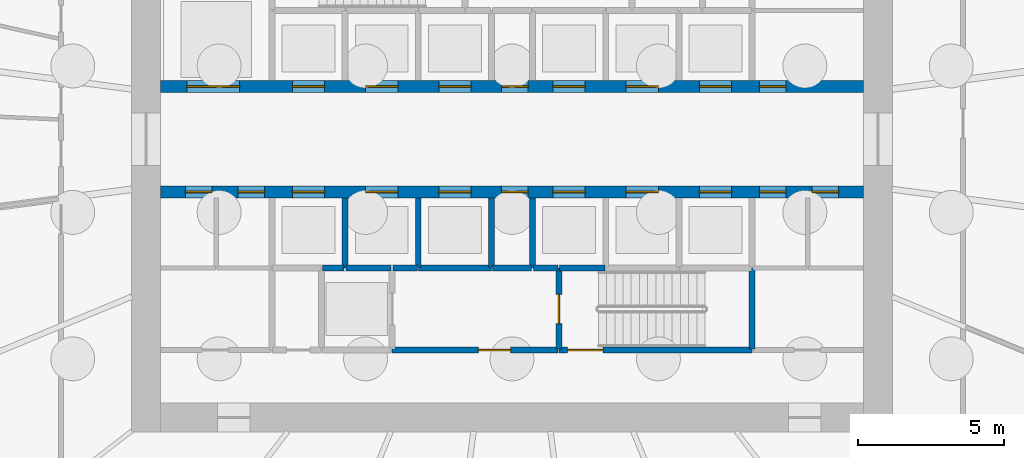
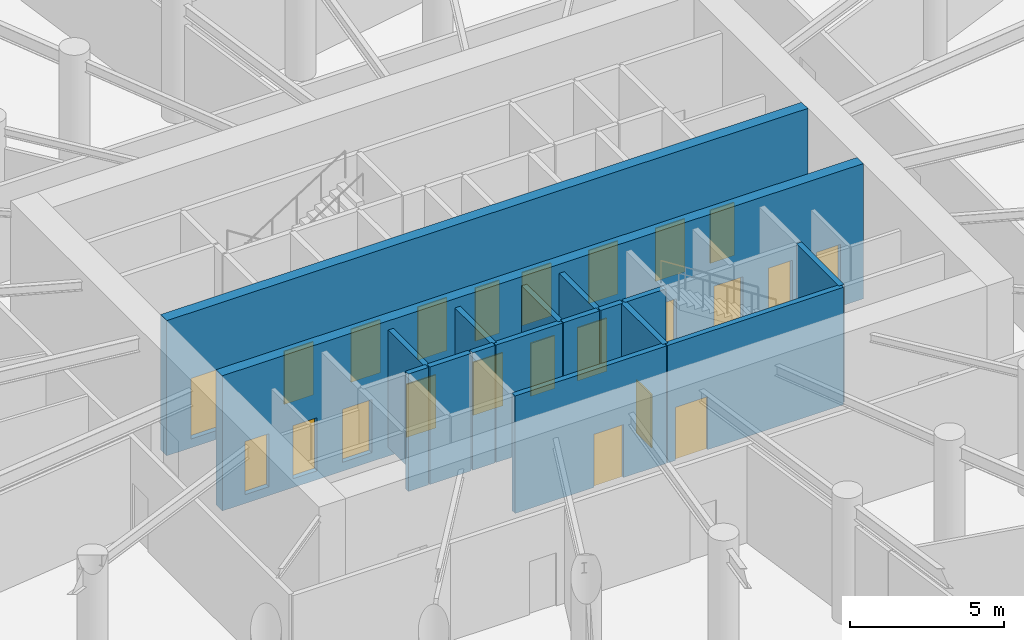
# One storey, part 19 of 28: 23 doors, 17 walls, 23 openings.
"""IFC4 building model written with IfcOpenShell, lengths in metres."""

from ifc_helpers import new_model, si_unit, direction, frame, frame_2d, origin, place, context, subcontext, project, spatial, rectangle, extrude, source, transform, mapped, material, layer, layer_set, type_object, element, fill, save


model = new_model("IFC4")

# Units and contexts
model_context = context("Model", 3, precision=1e-05, world=origin(), true_north=direction((0.0, 1.0)))
body_context = subcontext(model_context, "Body", "Model", "MODEL_VIEW")
ifc_project = project(units=[si_unit("LENGTHUNIT", "METRE"), si_unit("AREAUNIT", "SQUARE_METRE"), si_unit("VOLUMEUNIT", "CUBIC_METRE"), si_unit("PLANEANGLEUNIT", "RADIAN"), si_unit("MASSUNIT", "GRAM", prefix="KILO")], contexts=[model_context])

# Site, building, storey
site_placement = place(None, origin())
site = spatial("IfcSite", under=ifc_project, at=site_placement, CompositionType="ELEMENT")
building_placement = place(site_placement, origin())
building = spatial("IfcBuilding", under=site, at=building_placement, Name="Spindrift Exchange Tower", CompositionType="ELEMENT")
storey_placement = place(building_placement, origin())
storey = spatial("IfcBuildingStorey", under=building, at=storey_placement, Name="L00", CompositionType="ELEMENT", Elevation=0.0)

# Wall, openings, doors
ifc_material_1 = material(Name="Concrete 80 MPa", Category="concrete")
ifc_layer_1 = layer(ifc_material_1, 0.39990234375)
ifc_layer_set_1 = layer_set([ifc_layer_1], Name="RC Spine Wall 400 Concrete 80 MPa")
wall_type_1 = type_object("IfcWallType", Name="RC Spine Wall 400 Concrete 80 MPa", PredefinedType="SHEAR", material=ifc_layer_set_1)
wall_1_placement = place(storey_placement, frame((40.0, 49.800048828125, -0.35009765625), z_axis=(0.0, 0.0, 1.0), x_axis=(1.0, 0.0, 0.0)))
wall_1 = element("IfcWall", 1, at=wall_1_placement, inside=storey, type_object=wall_type_1, Name="Core spine wall N L00", PredefinedType="SHEAR", context=body_context, shape_type="SweptSolid", body=[
    extrude(rectangle(XDim=24.0, YDim=0.39990234375, at=frame_2d((12.0, 0.0))), origin(), (0.0, 0.0, 1.0), 5.35009765625),
])
opening_1_placement = place(wall_1_placement, frame((13.39990234375, 0.0, 0.35009765625)))
opening_1 = element("IfcOpeningElement", 2, at=opening_1_placement, cuts=wall_1, Name="Opening L00-D3", PredefinedType="OPENING", context=body_context, shape_type="SweptSolid", body=[
    extrude(rectangle(XDim=1.10009765625, YDim=2.10009765625, at=frame_2d((0.550048828125, 1.050048828125))), frame((0.0, 0.2099609375, 0.0), z_axis=(0.0, -1.0, 0.0), x_axis=(1.0, 0.0, 0.0)), (0.0, 0.0, 1.0), 0.419921875),
])
opening_2_placement = place(wall_1_placement, frame((15.89990234375, 0.0, 0.35009765625)))
opening_2 = element("IfcOpeningElement", 3, at=opening_2_placement, cuts=wall_1, Name="Opening L00-D4", PredefinedType="OPENING", context=body_context, shape_type="SweptSolid", body=[
    extrude(rectangle(XDim=1.10009765625, YDim=2.10009765625, at=frame_2d((0.550048828125, 1.050048828125))), frame((0.0, 0.2099609375, 0.0), z_axis=(0.0, -1.0, 0.0), x_axis=(1.0, 0.0, 0.0)), (0.0, 0.0, 1.0), 0.419921875),
])
opening_3_placement = place(wall_1_placement, frame((18.39990234375, 0.0, 0.35009765625)))
opening_3 = element("IfcOpeningElement", 4, at=opening_3_placement, cuts=wall_1, Name="Opening L00-D5", PredefinedType="OPENING", context=body_context, shape_type="SweptSolid", body=[
    extrude(rectangle(XDim=1.10009765625, YDim=2.10009765625, at=frame_2d((0.550048828125, 1.050048828125))), frame((0.0, 0.2099609375, 0.0), z_axis=(0.0, -1.0, 0.0), x_axis=(1.0, 0.0, 0.0)), (0.0, 0.0, 1.0), 0.419921875),
])
opening_4_placement = place(wall_1_placement, frame((4.5, 0.0, 0.35009765625)))
opening_4 = element("IfcOpeningElement", 5, at=opening_4_placement, cuts=wall_1, Name="Opening L00-D9", PredefinedType="OPENING", context=body_context, shape_type="SweptSolid", body=[
    extrude(rectangle(XDim=1.10009765625, YDim=2.10009765625, at=frame_2d((0.550048828125, 1.050048828125))), frame((0.0, 0.2099609375, 0.0), z_axis=(0.0, -1.0, 0.0), x_axis=(1.0, 0.0, 0.0)), (0.0, 0.0, 1.0), 0.419921875),
])
opening_5_placement = place(wall_1_placement, frame((7.0, 0.0, 0.35009765625)))
opening_5 = element("IfcOpeningElement", 6, at=opening_5_placement, cuts=wall_1, Name="Opening L00-D10", PredefinedType="OPENING", context=body_context, shape_type="SweptSolid", body=[
    extrude(rectangle(XDim=1.10009765625, YDim=2.10009765625, at=frame_2d((0.550048828125, 1.050048828125))), frame((0.0, 0.2099609375, 0.0), z_axis=(0.0, -1.0, 0.0), x_axis=(1.0, 0.0, 0.0)), (0.0, 0.0, 1.0), 0.419921875),
])
opening_6_placement = place(wall_1_placement, frame((9.5, 0.0, 0.35009765625)))
opening_6 = element("IfcOpeningElement", 7, at=opening_6_placement, cuts=wall_1, Name="Opening L00-D11", PredefinedType="OPENING", context=body_context, shape_type="SweptSolid", body=[
    extrude(rectangle(XDim=1.10009765625, YDim=2.10009765625, at=frame_2d((0.550048828125, 1.050048828125))), frame((0.0, 0.2099609375, 0.0), z_axis=(0.0, -1.0, 0.0), x_axis=(1.0, 0.0, 0.0)), (0.0, 0.0, 1.0), 0.419921875),
])
opening_7_placement = place(wall_1_placement, frame((0.89990234375, 0.0, 0.35009765625)))
opening_7 = element("IfcOpeningElement", 8, at=opening_7_placement, cuts=wall_1, Name="Opening L00-D18", PredefinedType="OPENING", context=body_context, shape_type="SweptSolid", body=[
    extrude(rectangle(XDim=1.800048828125, YDim=2.39990234375, at=frame_2d((0.89990234375, 1.199951171875))), frame((0.0, 0.2099609375, 0.0), z_axis=(0.0, -1.0, 0.0), x_axis=(1.0, 0.0, 0.0)), (0.0, 0.0, 1.0), 0.419921875),
])
opening_8_placement = place(wall_1_placement, frame((20.449951171875, 0.0, 0.35009765625)))
opening_8 = element("IfcOpeningElement", 9, at=opening_8_placement, cuts=wall_1, Name="Opening L00-D51", PredefinedType="OPENING", context=body_context, shape_type="SweptSolid", body=[
    extrude(rectangle(XDim=0.89990234375, YDim=2.10009765625, at=frame_2d((0.449951171875, 1.050048828125))), frame((0.0, 0.2099609375, 0.0), z_axis=(0.0, -1.0, 0.0), x_axis=(1.0, 0.0, 0.0)), (0.0, 0.0, 1.0), 0.419921875),
])
opening_9_placement = place(wall_1_placement, frame((11.64990234375, 0.0, 0.35009765625)))
opening_9 = element("IfcOpeningElement", 10, at=opening_9_placement, cuts=wall_1, Name="Opening L00-D56", PredefinedType="OPENING", context=body_context, shape_type="SweptSolid", body=[
    extrude(rectangle(XDim=0.89990234375, YDim=2.10009765625, at=frame_2d((0.449951171875, 1.050048828125))), frame((0.0, 0.2099609375, 0.0), z_axis=(0.0, -1.0, 0.0), x_axis=(1.0, 0.0, 0.0)), (0.0, 0.0, 1.0), 0.419921875),
])
ifc_material_2 = material(Name="Stainless steel landing door", Category="steel")
door_type_1 = type_object("IfcDoorType", Name="DR-LANDING-1100-SL", OperationType="DOUBLE_DOOR_SLIDING", PredefinedType="USERDEFINED", material=ifc_material_2)
shared_shape_1 = source(origin(), body_context, "Body", "SweptSolid", [
    extrude(rectangle(XDim=1.10009765625, YDim=2.10009765625, at=frame_2d((0.550048828125, 1.050048828125))), frame((0.0, 0.02490234375, 0.0), z_axis=(0.0, -1.0, 0.0), x_axis=(1.0, 0.0, 0.0)), (0.0, 0.0, 1.0), 0.050048828125),
])
door_1_placement = place(opening_1_placement, origin())
door_1 = element("IfcDoor", 11, at=door_1_placement, inside=storey, type_object=door_type_1, Name="L00 Lift landing door 3", ObjectType="LANDING DOOR", OperationType="DOUBLE_DOOR_SLIDING", OverallHeight=2.10009765625, OverallWidth=1.10009765625, PredefinedType="USERDEFINED", context=body_context, shape_type="MappedRepresentation", body=[
    mapped(shared_shape_1, transform((0.0, 0.0, 0.0), scale=1.0)),
])
fill(opening_1, door_1)
door_2_placement = place(opening_2_placement, origin())
door_2 = element("IfcDoor", 12, at=door_2_placement, inside=storey, type_object=door_type_1, Name="L00 Lift landing door 4", ObjectType="LANDING DOOR", OperationType="DOUBLE_DOOR_SLIDING", OverallHeight=2.10009765625, OverallWidth=1.10009765625, PredefinedType="USERDEFINED", context=body_context, shape_type="MappedRepresentation", body=[
    mapped(shared_shape_1, transform((0.0, 0.0, 0.0), scale=1.0)),
])
fill(opening_2, door_2)
door_3_placement = place(opening_3_placement, origin())
door_3 = element("IfcDoor", 13, at=door_3_placement, inside=storey, type_object=door_type_1, Name="L00 Lift landing door 5", ObjectType="LANDING DOOR", OperationType="DOUBLE_DOOR_SLIDING", OverallHeight=2.10009765625, OverallWidth=1.10009765625, PredefinedType="USERDEFINED", context=body_context, shape_type="MappedRepresentation", body=[
    mapped(shared_shape_1, transform((0.0, 0.0, 0.0), scale=1.0)),
])
fill(opening_3, door_3)
door_4_placement = place(opening_4_placement, origin())
door_4 = element("IfcDoor", 14, at=door_4_placement, inside=storey, type_object=door_type_1, Name="L00 Lift landing door 9", ObjectType="LANDING DOOR", OperationType="DOUBLE_DOOR_SLIDING", OverallHeight=2.10009765625, OverallWidth=1.10009765625, PredefinedType="USERDEFINED", context=body_context, shape_type="MappedRepresentation", body=[
    mapped(shared_shape_1, transform((0.0, 0.0, 0.0), scale=1.0)),
])
fill(opening_4, door_4)
door_5_placement = place(opening_5_placement, origin())
door_5 = element("IfcDoor", 15, at=door_5_placement, inside=storey, type_object=door_type_1, Name="L00 Lift landing door 10", ObjectType="LANDING DOOR", OperationType="DOUBLE_DOOR_SLIDING", OverallHeight=2.10009765625, OverallWidth=1.10009765625, PredefinedType="USERDEFINED", context=body_context, shape_type="MappedRepresentation", body=[
    mapped(shared_shape_1, transform((0.0, 0.0, 0.0), scale=1.0)),
])
fill(opening_5, door_5)
door_6_placement = place(opening_6_placement, origin())
door_6 = element("IfcDoor", 16, at=door_6_placement, inside=storey, type_object=door_type_1, Name="L00 Lift landing door 11", ObjectType="LANDING DOOR", OperationType="DOUBLE_DOOR_SLIDING", OverallHeight=2.10009765625, OverallWidth=1.10009765625, PredefinedType="USERDEFINED", context=body_context, shape_type="MappedRepresentation", body=[
    mapped(shared_shape_1, transform((0.0, 0.0, 0.0), scale=1.0)),
])
fill(opening_6, door_6)
door_type_2 = type_object("IfcDoorType", Name="DR-LANDING-1800-SL", OperationType="DOUBLE_DOOR_SLIDING", PredefinedType="USERDEFINED", material=ifc_material_2)
shared_shape_2 = source(origin(), body_context, "Body", "SweptSolid", [
    extrude(rectangle(XDim=1.800048828125, YDim=2.39990234375, at=frame_2d((0.89990234375, 1.199951171875))), frame((0.0, 0.02490234375, 0.0), z_axis=(0.0, -1.0, 0.0), x_axis=(1.0, 0.0, 0.0)), (0.0, 0.0, 1.0), 0.050048828125),
])
door_7_placement = place(opening_7_placement, origin())
door_7 = element("IfcDoor", 17, at=door_7_placement, inside=storey, type_object=door_type_2, Name="L00 Lift landing door 18", ObjectType="LANDING DOOR", OperationType="DOUBLE_DOOR_SLIDING", OverallHeight=2.39990234375, OverallWidth=1.800048828125, PredefinedType="USERDEFINED", context=body_context, shape_type="MappedRepresentation", body=[
    mapped(shared_shape_2, transform((0.0, 0.0, 0.0), scale=1.0)),
])
fill(opening_7, door_7)
ifc_material_3 = material(Name="Steel access door", Category="steel")
door_type_3 = type_object("IfcDoorType", Name="DR-RISER-900", OperationType="NOTDEFINED", PredefinedType="DOOR", material=ifc_material_3)
shared_shape_3 = source(origin(), body_context, "Body", "SweptSolid", [
    extrude(rectangle(XDim=0.89990234375, YDim=2.10009765625, at=frame_2d((0.449951171875, 1.050048828125))), frame((0.0, 0.02490234375, 0.0), z_axis=(0.0, -1.0, 0.0), x_axis=(1.0, 0.0, 0.0)), (0.0, 0.0, 1.0), 0.050048828125),
])
door_8_placement = place(opening_8_placement, origin())
door_8 = element("IfcDoor", 18, at=door_8_placement, inside=storey, type_object=door_type_3, Name="L00 Riser door 51", OperationType="SINGLE_SWING_RIGHT", OverallHeight=2.10009765625, OverallWidth=0.89990234375, PredefinedType="DOOR", context=body_context, shape_type="MappedRepresentation", body=[
    mapped(shared_shape_3, transform((0.0, 0.0, 0.0), scale=1.0)),
])
fill(opening_8, door_8)
door_9_placement = place(opening_9_placement, origin())
door_9 = element("IfcDoor", 19, at=door_9_placement, inside=storey, type_object=door_type_3, Name="L00 Riser door 56", OperationType="SINGLE_SWING_LEFT", OverallHeight=2.10009765625, OverallWidth=0.89990234375, PredefinedType="DOOR", context=body_context, shape_type="MappedRepresentation", body=[
    mapped(shared_shape_3, transform((0.0, 0.0, 0.0), scale=1.0)),
])
fill(opening_9, door_9)

wall_2_placement = place(storey_placement, frame((40.0, 46.199951171875, -0.35009765625), z_axis=(0.0, 0.0, 1.0), x_axis=(1.0, 0.0, 0.0)))
wall_2 = element("IfcWall", 20, at=wall_2_placement, inside=storey, type_object=wall_type_1, Name="Core spine wall S L00", PredefinedType="SHEAR", context=body_context, shape_type="SweptSolid", body=[
    extrude(rectangle(XDim=24.0, YDim=0.39990234375, at=frame_2d((12.0, 0.0))), origin(), (0.0, 0.0, 1.0), 5.35009765625),
])
opening_10_placement = place(wall_2_placement, frame((13.39990234375, 0.0, 0.35009765625)))
opening_10 = element("IfcOpeningElement", 21, at=opening_10_placement, cuts=wall_2, Name="Opening L00-D6", PredefinedType="OPENING", context=body_context, shape_type="SweptSolid", body=[
    extrude(rectangle(XDim=1.10009765625, YDim=2.10009765625, at=frame_2d((0.550048828125, 1.050048828125))), frame((0.0, 0.2099609375, 0.0), z_axis=(0.0, -1.0, 0.0), x_axis=(1.0, 0.0, 0.0)), (0.0, 0.0, 1.0), 0.419921875),
])
opening_11_placement = place(wall_2_placement, frame((15.89990234375, 0.0, 0.35009765625)))
opening_11 = element("IfcOpeningElement", 22, at=opening_11_placement, cuts=wall_2, Name="Opening L00-D7", PredefinedType="OPENING", context=body_context, shape_type="SweptSolid", body=[
    extrude(rectangle(XDim=1.10009765625, YDim=2.10009765625, at=frame_2d((0.550048828125, 1.050048828125))), frame((0.0, 0.2099609375, 0.0), z_axis=(0.0, -1.0, 0.0), x_axis=(1.0, 0.0, 0.0)), (0.0, 0.0, 1.0), 0.419921875),
])
opening_12_placement = place(wall_2_placement, frame((18.39990234375, 0.0, 0.35009765625)))
opening_12 = element("IfcOpeningElement", 23, at=opening_12_placement, cuts=wall_2, Name="Opening L00-D8", PredefinedType="OPENING", context=body_context, shape_type="SweptSolid", body=[
    extrude(rectangle(XDim=1.10009765625, YDim=2.10009765625, at=frame_2d((0.550048828125, 1.050048828125))), frame((0.0, 0.2099609375, 0.0), z_axis=(0.0, -1.0, 0.0), x_axis=(1.0, 0.0, 0.0)), (0.0, 0.0, 1.0), 0.419921875),
])
opening_13_placement = place(wall_2_placement, frame((4.5, 0.0, 0.35009765625)))
opening_13 = element("IfcOpeningElement", 24, at=opening_13_placement, cuts=wall_2, Name="Opening L00-D12", PredefinedType="OPENING", context=body_context, shape_type="SweptSolid", body=[
    extrude(rectangle(XDim=1.10009765625, YDim=2.10009765625, at=frame_2d((0.550048828125, 1.050048828125))), frame((0.0, 0.2099609375, 0.0), z_axis=(0.0, -1.0, 0.0), x_axis=(1.0, 0.0, 0.0)), (0.0, 0.0, 1.0), 0.419921875),
])
opening_14_placement = place(wall_2_placement, frame((7.0, 0.0, 0.35009765625)))
opening_14 = element("IfcOpeningElement", 25, at=opening_14_placement, cuts=wall_2, Name="Opening L00-D13", PredefinedType="OPENING", context=body_context, shape_type="SweptSolid", body=[
    extrude(rectangle(XDim=1.10009765625, YDim=2.10009765625, at=frame_2d((0.550048828125, 1.050048828125))), frame((0.0, 0.2099609375, 0.0), z_axis=(0.0, -1.0, 0.0), x_axis=(1.0, 0.0, 0.0)), (0.0, 0.0, 1.0), 0.419921875),
])
opening_15_placement = place(wall_2_placement, frame((9.5, 0.0, 0.35009765625)))
opening_15 = element("IfcOpeningElement", 26, at=opening_15_placement, cuts=wall_2, Name="Opening L00-D14", PredefinedType="OPENING", context=body_context, shape_type="SweptSolid", body=[
    extrude(rectangle(XDim=1.10009765625, YDim=2.10009765625, at=frame_2d((0.550048828125, 1.050048828125))), frame((0.0, 0.2099609375, 0.0), z_axis=(0.0, -1.0, 0.0), x_axis=(1.0, 0.0, 0.0)), (0.0, 0.0, 1.0), 0.419921875),
])
opening_16_placement = place(wall_2_placement, frame((20.449951171875, 0.0, 0.35009765625)))
opening_16 = element("IfcOpeningElement", 27, at=opening_16_placement, cuts=wall_2, Name="Opening L00-D49", PredefinedType="OPENING", context=body_context, shape_type="SweptSolid", body=[
    extrude(rectangle(XDim=0.89990234375, YDim=2.10009765625, at=frame_2d((0.449951171875, 1.050048828125))), frame((0.0, 0.2099609375, 0.0), z_axis=(0.0, -1.0, 0.0), x_axis=(1.0, 0.0, 0.0)), (0.0, 0.0, 1.0), 0.419921875),
])
opening_17_placement = place(wall_2_placement, frame((22.25, 0.0, 0.35009765625)))
opening_17 = element("IfcOpeningElement", 28, at=opening_17_placement, cuts=wall_2, Name="Opening L00-D50", PredefinedType="OPENING", context=body_context, shape_type="SweptSolid", body=[
    extrude(rectangle(XDim=0.89990234375, YDim=2.10009765625, at=frame_2d((0.449951171875, 1.050048828125))), frame((0.0, 0.2099609375, 0.0), z_axis=(0.0, -1.0, 0.0), x_axis=(1.0, 0.0, 0.0)), (0.0, 0.0, 1.0), 0.419921875),
])
opening_18_placement = place(wall_2_placement, frame((0.85009765625, 0.0, 0.35009765625)))
opening_18 = element("IfcOpeningElement", 29, at=opening_18_placement, cuts=wall_2, Name="Opening L00-D54", PredefinedType="OPENING", context=body_context, shape_type="SweptSolid", body=[
    extrude(rectangle(XDim=0.89990234375, YDim=2.10009765625, at=frame_2d((0.449951171875, 1.050048828125))), frame((0.0, 0.2099609375, 0.0), z_axis=(0.0, -1.0, 0.0), x_axis=(1.0, 0.0, 0.0)), (0.0, 0.0, 1.0), 0.419921875),
])
opening_19_placement = place(wall_2_placement, frame((2.64990234375, 0.0, 0.35009765625)))
opening_19 = element("IfcOpeningElement", 30, at=opening_19_placement, cuts=wall_2, Name="Opening L00-D55", PredefinedType="OPENING", context=body_context, shape_type="SweptSolid", body=[
    extrude(rectangle(XDim=0.89990234375, YDim=2.10009765625, at=frame_2d((0.449951171875, 1.050048828125))), frame((0.0, 0.2099609375, 0.0), z_axis=(0.0, -1.0, 0.0), x_axis=(1.0, 0.0, 0.0)), (0.0, 0.0, 1.0), 0.419921875),
])
opening_20_placement = place(wall_2_placement, frame((11.64990234375, 0.0, 0.35009765625)))
opening_20 = element("IfcOpeningElement", 31, at=opening_20_placement, cuts=wall_2, Name="Opening L00-D57", PredefinedType="OPENING", context=body_context, shape_type="SweptSolid", body=[
    extrude(rectangle(XDim=0.89990234375, YDim=2.10009765625, at=frame_2d((0.449951171875, 1.050048828125))), frame((0.0, 0.2099609375, 0.0), z_axis=(0.0, -1.0, 0.0), x_axis=(1.0, 0.0, 0.0)), (0.0, 0.0, 1.0), 0.419921875),
])
door_10_placement = place(opening_10_placement, origin())
door_10 = element("IfcDoor", 32, at=door_10_placement, inside=storey, type_object=door_type_1, Name="L00 Lift landing door 6", ObjectType="LANDING DOOR", OperationType="DOUBLE_DOOR_SLIDING", OverallHeight=2.10009765625, OverallWidth=1.10009765625, PredefinedType="USERDEFINED", context=body_context, shape_type="MappedRepresentation", body=[
    mapped(shared_shape_1, transform((0.0, 0.0, 0.0), scale=1.0)),
])
fill(opening_10, door_10)
door_11_placement = place(opening_11_placement, origin())
door_11 = element("IfcDoor", 33, at=door_11_placement, inside=storey, type_object=door_type_1, Name="L00 Lift landing door 7", ObjectType="LANDING DOOR", OperationType="DOUBLE_DOOR_SLIDING", OverallHeight=2.10009765625, OverallWidth=1.10009765625, PredefinedType="USERDEFINED", context=body_context, shape_type="MappedRepresentation", body=[
    mapped(shared_shape_1, transform((0.0, 0.0, 0.0), scale=1.0)),
])
fill(opening_11, door_11)
door_12_placement = place(opening_12_placement, origin())
door_12 = element("IfcDoor", 34, at=door_12_placement, inside=storey, type_object=door_type_1, Name="L00 Lift landing door 8", ObjectType="LANDING DOOR", OperationType="DOUBLE_DOOR_SLIDING", OverallHeight=2.10009765625, OverallWidth=1.10009765625, PredefinedType="USERDEFINED", context=body_context, shape_type="MappedRepresentation", body=[
    mapped(shared_shape_1, transform((0.0, 0.0, 0.0), scale=1.0)),
])
fill(opening_12, door_12)
door_13_placement = place(opening_13_placement, origin())
door_13 = element("IfcDoor", 35, at=door_13_placement, inside=storey, type_object=door_type_1, Name="L00 Lift landing door 12", ObjectType="LANDING DOOR", OperationType="DOUBLE_DOOR_SLIDING", OverallHeight=2.10009765625, OverallWidth=1.10009765625, PredefinedType="USERDEFINED", context=body_context, shape_type="MappedRepresentation", body=[
    mapped(shared_shape_1, transform((0.0, 0.0, 0.0), scale=1.0)),
])
fill(opening_13, door_13)
door_14_placement = place(opening_14_placement, origin())
door_14 = element("IfcDoor", 36, at=door_14_placement, inside=storey, type_object=door_type_1, Name="L00 Lift landing door 13", ObjectType="LANDING DOOR", OperationType="DOUBLE_DOOR_SLIDING", OverallHeight=2.10009765625, OverallWidth=1.10009765625, PredefinedType="USERDEFINED", context=body_context, shape_type="MappedRepresentation", body=[
    mapped(shared_shape_1, transform((0.0, 0.0, 0.0), scale=1.0)),
])
fill(opening_14, door_14)
door_15_placement = place(opening_15_placement, origin())
door_15 = element("IfcDoor", 37, at=door_15_placement, inside=storey, type_object=door_type_1, Name="L00 Lift landing door 14", ObjectType="LANDING DOOR", OperationType="DOUBLE_DOOR_SLIDING", OverallHeight=2.10009765625, OverallWidth=1.10009765625, PredefinedType="USERDEFINED", context=body_context, shape_type="MappedRepresentation", body=[
    mapped(shared_shape_1, transform((0.0, 0.0, 0.0), scale=1.0)),
])
fill(opening_15, door_15)
door_16_placement = place(opening_16_placement, origin())
door_16 = element("IfcDoor", 38, at=door_16_placement, inside=storey, type_object=door_type_3, Name="L00 Riser door 49", OperationType="SINGLE_SWING_RIGHT", OverallHeight=2.10009765625, OverallWidth=0.89990234375, PredefinedType="DOOR", context=body_context, shape_type="MappedRepresentation", body=[
    mapped(shared_shape_3, transform((0.0, 0.0, 0.0), scale=1.0)),
])
fill(opening_16, door_16)
door_17_placement = place(opening_17_placement, origin())
door_17 = element("IfcDoor", 39, at=door_17_placement, inside=storey, type_object=door_type_3, Name="L00 Riser door 50", OperationType="SINGLE_SWING_LEFT", OverallHeight=2.10009765625, OverallWidth=0.89990234375, PredefinedType="DOOR", context=body_context, shape_type="MappedRepresentation", body=[
    mapped(shared_shape_3, transform((0.0, 0.0, 0.0), scale=1.0)),
])
fill(opening_17, door_17)
door_18_placement = place(opening_18_placement, origin())
door_18 = element("IfcDoor", 40, at=door_18_placement, inside=storey, type_object=door_type_3, Name="L00 Riser door 54", OperationType="SINGLE_SWING_LEFT", OverallHeight=2.10009765625, OverallWidth=0.89990234375, PredefinedType="DOOR", context=body_context, shape_type="MappedRepresentation", body=[
    mapped(shared_shape_3, transform((0.0, 0.0, 0.0), scale=1.0)),
])
fill(opening_18, door_18)
door_19_placement = place(opening_19_placement, origin())
door_19 = element("IfcDoor", 41, at=door_19_placement, inside=storey, type_object=door_type_3, Name="L00 Riser door 55", OperationType="SINGLE_SWING_RIGHT", OverallHeight=2.10009765625, OverallWidth=0.89990234375, PredefinedType="DOOR", context=body_context, shape_type="MappedRepresentation", body=[
    mapped(shared_shape_3, transform((0.0, 0.0, 0.0), scale=1.0)),
])
fill(opening_19, door_19)
door_20_placement = place(opening_20_placement, origin())
door_20 = element("IfcDoor", 42, at=door_20_placement, inside=storey, type_object=door_type_3, Name="L00 Riser door 57", OperationType="SINGLE_SWING_RIGHT", OverallHeight=2.10009765625, OverallWidth=0.89990234375, PredefinedType="DOOR", context=body_context, shape_type="MappedRepresentation", body=[
    mapped(shared_shape_3, transform((0.0, 0.0, 0.0), scale=1.0)),
])
fill(opening_20, door_20)

# Walls
ifc_material_4 = material(Name="Concrete 40 MPa", Category="concrete")
ifc_layer_2 = layer(ifc_material_4, 0.199951171875)
ifc_layer_set_2 = layer_set([ifc_layer_2], Name="W-SHAFT-200")
wall_type_2 = type_object("IfcWallType", Name="W-SHAFT-200", PredefinedType="SOLIDWALL", material=ifc_layer_set_2)
wall_3_placement = place(storey_placement, frame((48.800048828125, 43.60009765625, 0.0), z_axis=(0.0, 0.0, 1.0), x_axis=(1.0, 0.0, 0.0)))
element("IfcWall", 43, at=wall_3_placement, inside=storey, type_object=wall_type_2, Name="L00 Shaft wall 21", PredefinedType="SOLIDWALL", context=body_context, shape_type="SweptSolid", body=[
    extrude(rectangle(XDim=2.5, YDim=0.199951171875, at=frame_2d((1.25, 0.0))), origin(), (0.0, 0.0, 1.0), 4.64990234375),
])
wall_4_placement = place(storey_placement, frame((46.300048828125, 43.60009765625, 0.0), z_axis=(0.0, 0.0, 1.0), x_axis=(0.0, 1.0, 0.0)))
element("IfcWall", 44, at=wall_4_placement, inside=storey, type_object=wall_type_2, Name="L00 Shaft wall 29", PredefinedType="SOLIDWALL", context=body_context, shape_type="SweptSolid", body=[
    extrude(rectangle(XDim=2.389892578125, YDim=0.199951171875, at=frame_2d((1.19482421875, 0.0))), origin(), (0.0, 0.0, 1.0), 4.64990234375),
])
for number, where, z_axis, x_axis, name in (
    (45, (48.800048828125, 43.6298828125, 0.0), (0.0, 0.0, 1.0), (0.0, 1.0, 0.0), "L00 Shaft wall 31"),
    (46, (51.300048828125, 43.6298828125, 0.0), (0.0, 0.0, 1.0), (0.0, 1.0, 0.0), "L00 Shaft wall 33"),
):
    element("IfcWall", number, at=place(storey_placement, frame(where, z_axis=z_axis, x_axis=x_axis)), inside=storey, type_object=wall_type_2, Name=name, PredefinedType="SOLIDWALL", context=body_context, shape_type="SweptSolid", body=[
        extrude(rectangle(XDim=2.360107421875, YDim=0.199951171875, at=frame_2d((1.18017578125, 0.0))), origin(), (0.0, 0.0, 1.0), 4.64990234375),
    ])
wall_5_placement = place(storey_placement, frame((52.699951171875, 45.989990234375, 0.0), z_axis=(0.0, 0.0, 1.0), x_axis=(0.0, -1.0, 0.0)))
element("IfcWall", 47, at=wall_5_placement, inside=storey, type_object=wall_type_2, Name="L00 Shaft wall 35", PredefinedType="SOLIDWALL", context=body_context, shape_type="SweptSolid", body=[
    extrude(rectangle(XDim=2.389892578125, YDim=0.199951171875, at=frame_2d((1.19482421875, 0.0))), origin(), (0.0, 0.0, 1.0), 4.64990234375),
])
wall_6_placement = place(storey_placement, frame((46.330078125, 43.60009765625, 0.0), z_axis=(0.0, 0.0, 1.0), x_axis=(1.0, 0.0, 0.0)))
element("IfcWall", 48, at=wall_6_placement, inside=storey, type_object=wall_type_2, Name="L00 Shaft wall 48", PredefinedType="SOLIDWALL", context=body_context, shape_type="SweptSolid", body=[
    extrude(rectangle(XDim=1.5400390625, YDim=0.199951171875, at=frame_2d((0.77001953125, 0.0))), origin(), (0.0, 0.0, 1.0), 4.64990234375),
])
wall_7_placement = place(storey_placement, frame((52.669921875, 43.60009765625, 0.0), z_axis=(0.0, 0.0, 1.0), x_axis=(-1.0, 0.0, 0.0)))
element("IfcWall", 49, at=wall_7_placement, inside=storey, type_object=wall_type_2, Name="L00 Shaft wall 52", PredefinedType="SOLIDWALL", context=body_context, shape_type="SweptSolid", body=[
    extrude(rectangle(XDim=1.33984375, YDim=0.199951171875, at=frame_2d((0.669921875, 0.0))), origin(), (0.0, 0.0, 1.0), 4.64990234375),
])
wall_8_placement = place(storey_placement, frame((47.929931640625, 43.60009765625, 0.0), z_axis=(0.0, 0.0, 1.0), x_axis=(1.0, 0.0, 0.0)))
element("IfcWall", 50, at=wall_8_placement, inside=storey, type_object=wall_type_2, Name="L00 Shaft wall 54", PredefinedType="SOLIDWALL", context=body_context, shape_type="SweptSolid", body=[
    extrude(rectangle(XDim=0.840087890625, YDim=0.199951171875, at=frame_2d((0.419921875, 0.0))), origin(), (0.0, 0.0, 1.0), 4.64990234375),
])
wall_9_placement = place(storey_placement, frame((45.530029296875, 43.60009765625, 0.0), z_axis=(0.0, 0.0, 1.0), x_axis=(1.0, 0.0, 0.0)))
element("IfcWall", 51, at=wall_9_placement, inside=storey, type_object=wall_type_2, Name="L00 Shaft wall 58", PredefinedType="SOLIDWALL", context=body_context, shape_type="SweptSolid", body=[
    extrude(rectangle(XDim=0.739990234375, YDim=0.199951171875, at=frame_2d((0.3701171875, 0.0))), origin(), (0.0, 0.0, 1.0), 4.64990234375),
])

# Wall, opening, door
ifc_layer_3 = layer(ifc_material_4, 0.199951171875)
ifc_layer_set_3 = layer_set([ifc_layer_3], Name="W-SHAFT-200-LB")
wall_type_3 = type_object("IfcWallType", Name="W-SHAFT-200-LB", PredefinedType="SOLIDWALL", material=ifc_layer_set_3)
wall_10_placement = place(storey_placement, frame((53.60009765625, 40.800048828125, 0.0), z_axis=(0.0, 0.0, 1.0), x_axis=(1.0, 0.0, 0.0)))
wall_10 = element("IfcWall", 52, at=wall_10_placement, inside=storey, type_object=wall_type_3, Name="L00 Shaft wall 2", PredefinedType="SOLIDWALL", context=body_context, shape_type="SweptSolid", body=[
    extrude(rectangle(XDim=6.599853515625, YDim=0.199951171875, at=frame_2d((3.2998046875, 0.0))), origin(), (0.0, 0.0, 1.0), 4.64990234375),
])
opening_21_placement = place(wall_10_placement, frame((0.300048828125, 0.0, 0.0)))
opening_21 = element("IfcOpeningElement", 53, at=opening_21_placement, cuts=wall_10, Name="Opening L00-D22", PredefinedType="OPENING", context=body_context, shape_type="SweptSolid", body=[
    extrude(rectangle(XDim=1.199951171875, YDim=2.10009765625, at=frame_2d((0.60009765625, 1.050048828125))), frame((0.0, 0.10986328125, 0.0), z_axis=(0.0, -1.0, 0.0), x_axis=(1.0, 0.0, 0.0)), (0.0, 0.0, 1.0), 0.219970703125),
])
ifc_material_5 = material(Name="Steel fire door", Category="steel")
door_type_4 = type_object("IfcDoorType", Name="DR-STAIR-1200", OperationType="NOTDEFINED", PredefinedType="DOOR", material=ifc_material_5)
shared_shape_4 = source(origin(), body_context, "Body", "SweptSolid", [
    extrude(rectangle(XDim=1.199951171875, YDim=2.10009765625, at=frame_2d((0.60009765625, 1.050048828125))), frame((0.0, 0.02490234375, 0.0), z_axis=(0.0, -1.0, 0.0), x_axis=(1.0, 0.0, 0.0)), (0.0, 0.0, 1.0), 0.050048828125),
])
door_21_placement = place(opening_21_placement, origin())
door_21 = element("IfcDoor", 54, at=door_21_placement, inside=storey, type_object=door_type_4, Name="L00 Stair door 22", OperationType="SINGLE_SWING_LEFT", OverallHeight=2.10009765625, OverallWidth=1.199951171875, PredefinedType="DOOR", context=body_context, shape_type="MappedRepresentation", body=[
    mapped(shared_shape_4, transform((0.0, 0.0, 0.0), scale=1.0)),
])
fill(opening_21, door_21)

wall_11_placement = place(storey_placement, frame((47.89990234375, 40.800048828125, 0.0), z_axis=(0.0, 0.0, 1.0), x_axis=(1.0, 0.0, 0.0)))
wall_11 = element("IfcWall", 55, at=wall_11_placement, inside=storey, type_object=wall_type_3, Name="L00 Shaft wall 5", PredefinedType="SOLIDWALL", context=body_context, shape_type="SweptSolid", body=[
    extrude(rectangle(XDim=5.670166015625, YDim=0.199951171875, at=frame_2d((2.8349609375, 0.0))), origin(), (0.0, 0.0, 1.0), 4.64990234375),
])
opening_22_placement = place(wall_11_placement, frame((2.949951171875, 0.0, 0.0)))
opening_22 = element("IfcOpeningElement", 56, at=opening_22_placement, cuts=wall_11, Name="Opening L00-D24", PredefinedType="OPENING", context=body_context, shape_type="SweptSolid", body=[
    extrude(rectangle(XDim=1.10009765625, YDim=2.10009765625, at=frame_2d((0.550048828125, 1.050048828125))), frame((0.0, 0.10986328125, 0.0), z_axis=(0.0, -1.0, 0.0), x_axis=(1.0, 0.0, 0.0)), (0.0, 0.0, 1.0), 0.219970703125),
])
ifc_material_6 = material(Name="Timber-core fire door", Category="wood")
door_type_5 = type_object("IfcDoorType", Name="DR-LOBBY-1100", OperationType="NOTDEFINED", PredefinedType="DOOR", material=ifc_material_6)
shared_shape_5 = source(origin(), body_context, "Body", "SweptSolid", [
    extrude(rectangle(XDim=1.10009765625, YDim=2.10009765625, at=frame_2d((0.550048828125, 1.050048828125))), frame((0.0, 0.02490234375, 0.0), z_axis=(0.0, -1.0, 0.0), x_axis=(1.0, 0.0, 0.0)), (0.0, 0.0, 1.0), 0.050048828125),
])
door_22_placement = place(opening_22_placement, origin())
door_22 = element("IfcDoor", 57, at=door_22_placement, inside=storey, type_object=door_type_5, Name="L00 Lobby door 24", OperationType="SINGLE_SWING_LEFT", OverallHeight=2.10009765625, OverallWidth=1.10009765625, PredefinedType="DOOR", context=body_context, shape_type="MappedRepresentation", body=[
    mapped(shared_shape_5, transform((0.0, 0.0, 0.0), scale=1.0)),
])
fill(opening_22, door_22)

# Wall
wall_12_placement = place(storey_placement, frame((60.199951171875, 40.830078125, 0.0), z_axis=(0.0, 0.0, 1.0), x_axis=(0.0, 1.0, 0.0)))
element("IfcWall", 58, at=wall_12_placement, inside=storey, type_object=wall_type_3, Name="L00 Shaft wall 12", PredefinedType="SOLIDWALL", context=body_context, shape_type="SweptSolid", body=[
    extrude(rectangle(XDim=2.77001953125, YDim=0.199951171875, at=frame_2d((1.385009765625, 0.0))), origin(), (0.0, 0.0, 1.0), 4.64990234375),
])

# Wall, opening, door
wall_13_placement = place(storey_placement, frame((53.60009765625, 43.60009765625, 0.0), z_axis=(0.0, 0.0, 1.0), x_axis=(0.0, -1.0, 0.0)))
wall_13 = element("IfcWall", 59, at=wall_13_placement, inside=storey, type_object=wall_type_3, Name="L00 Shaft wall 13", PredefinedType="SOLIDWALL", context=body_context, shape_type="SweptSolid", body=[
    extrude(rectangle(XDim=2.77001953125, YDim=0.199951171875, at=frame_2d((1.385009765625, 0.0))), origin(), (0.0, 0.0, 1.0), 4.64990234375),
])
opening_23_placement = place(wall_13_placement, frame((0.89990234375, 0.0, 0.0)))
opening_23 = element("IfcOpeningElement", 60, at=opening_23_placement, cuts=wall_13, Name="Opening L00-D23", PredefinedType="OPENING", context=body_context, shape_type="SweptSolid", body=[
    extrude(rectangle(XDim=1.0, YDim=2.10009765625, at=frame_2d((0.5, 1.050048828125))), frame((0.0, 0.10986328125, 0.0), z_axis=(0.0, -1.0, 0.0), x_axis=(1.0, 0.0, 0.0)), (0.0, 0.0, 1.0), 0.219970703125),
])
door_type_6 = type_object("IfcDoorType", Name="DR-STAIR-1000", OperationType="NOTDEFINED", PredefinedType="DOOR", material=ifc_material_5)
shared_shape_6 = source(origin(), body_context, "Body", "SweptSolid", [
    extrude(rectangle(XDim=1.0, YDim=2.10009765625, at=frame_2d((0.5, 1.050048828125))), frame((0.0, 0.02490234375, 0.0), z_axis=(0.0, -1.0, 0.0), x_axis=(1.0, 0.0, 0.0)), (0.0, 0.0, 1.0), 0.050048828125),
])
door_23_placement = place(opening_23_placement, origin())
door_23 = element("IfcDoor", 61, at=door_23_placement, inside=storey, type_object=door_type_6, Name="L00 Stair door 23", OperationType="SINGLE_SWING_RIGHT", OverallHeight=2.10009765625, OverallWidth=1.0, PredefinedType="DOOR", context=body_context, shape_type="MappedRepresentation", body=[
    mapped(shared_shape_6, transform((0.0, 0.0, 0.0), scale=1.0)),
])
fill(opening_23, door_23)

# Walls
wall_14_placement = place(storey_placement, frame((53.6298828125, 43.60009765625, 0.0), z_axis=(0.0, 0.0, 1.0), x_axis=(1.0, 0.0, 0.0)))
element("IfcWall", 62, at=wall_14_placement, inside=storey, type_object=wall_type_3, Name="L00 Shaft wall 50", PredefinedType="SOLIDWALL", context=body_context, shape_type="SweptSolid", body=[
    extrude(rectangle(XDim=1.5400390625, YDim=0.199951171875, at=frame_2d((0.77001953125, 0.0))), origin(), (0.0, 0.0, 1.0), 4.64990234375),
])
wall_15_placement = place(storey_placement, frame((52.72998046875, 43.60009765625, 0.0), z_axis=(0.0, 0.0, 1.0), x_axis=(1.0, 0.0, 0.0)))
element("IfcWall", 63, at=wall_15_placement, inside=storey, type_object=wall_type_3, Name="L00 Shaft wall 56", PredefinedType="SOLIDWALL", context=body_context, shape_type="SweptSolid", body=[
    extrude(rectangle(XDim=0.840087890625, YDim=0.199951171875, at=frame_2d((0.419921875, 0.0))), origin(), (0.0, 0.0, 1.0), 4.64990234375),
])

save(model, "model.ifc")
